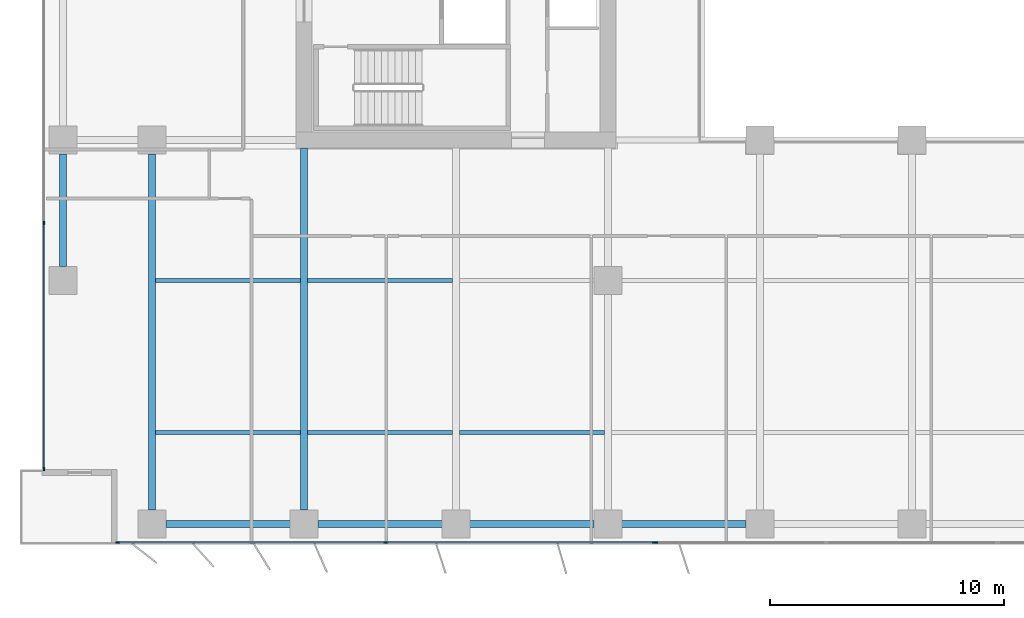
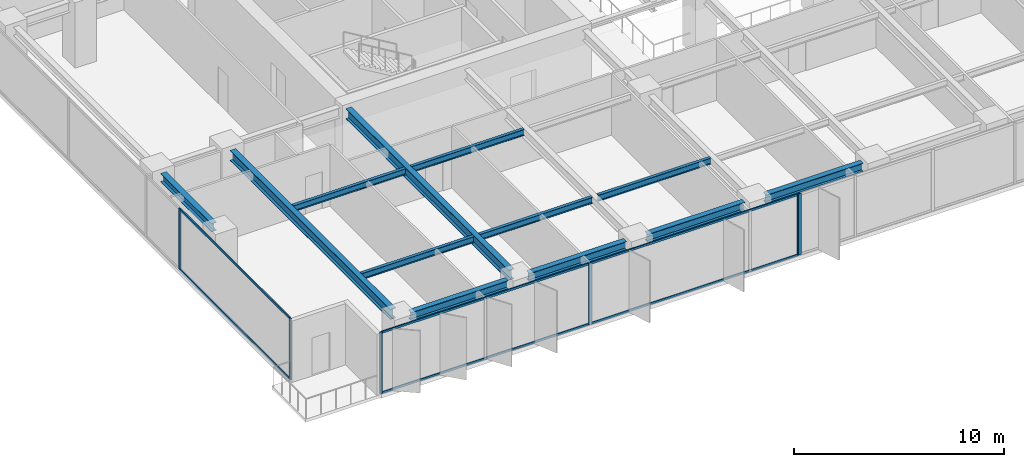
# One storey, part 2 of 20: 12 beams, 12 members, 3 elements without a shape of their own.
"""IFC4 building model written with IfcOpenShell, lengths in metres."""

from ifc_helpers import new_model, si_unit, direction, frame, origin, origin_2d, place, context, subcontext, project, spatial, rectangle, i_section, extrude, material, layer, layer_set, material_profile, profile_set, type_object, element, aggregate, save


model = new_model("IFC4")

# Units and contexts
model_context = context("Model", 3, precision=1e-05, world=origin(), true_north=direction((0.0, 1.0)))
body_context = subcontext(model_context, "Body", "Model", "MODEL_VIEW")
ifc_project = project(units=[si_unit("LENGTHUNIT", "METRE"), si_unit("AREAUNIT", "SQUARE_METRE"), si_unit("VOLUMEUNIT", "CUBIC_METRE"), si_unit("PLANEANGLEUNIT", "RADIAN"), si_unit("MASSUNIT", "GRAM", prefix="KILO")], contexts=[model_context])

# Site, building, storey
site_placement = place(None, origin())
site = spatial("IfcSite", under=ifc_project, at=site_placement, CompositionType="ELEMENT")
building_placement = place(site_placement, origin())
building = spatial("IfcBuilding", under=site, at=building_placement, Name="Putna Gate Headquarters", CompositionType="ELEMENT")
storey_placement = place(building_placement, frame((0.0, 0.0, 97.39990234375)))
storey = spatial("IfcBuildingStorey", under=building, at=storey_placement, Name="L23", CompositionType="ELEMENT", Elevation=97.39990234375)

# Beams
ifc_material_1 = material(Name="Steel S355J2", Category="steel")
ifc_material_profile_1 = material_profile(ifc_material_1, i_section(OverallWidth=0.300048828125, OverallDepth=0.60009765625, WebThickness=0.015380859375, FlangeThickness=0.030029296875, at=origin_2d()), Name="Steel S355J2")
ifc_profile_set_1 = profile_set([ifc_material_profile_1], Name="Steel S355J2")
beam_type_1 = type_object("IfcBeamType", Name="BM-GIRD-Z2-HEB600", PredefinedType="USERDEFINED", material=ifc_profile_set_1)
beam_1_placement = place(storey_placement, frame((6.5, 3.16796875, 3.26513671875), z_axis=(0.0, 1.0, 0.0), x_axis=(-1.0, 0.0, 0.0)))
element("IfcBeam", 1, at=beam_1_placement, inside=storey, type_object=beam_type_1, Name="L23 South Primary Girder X6", ObjectType="GIRDER", PredefinedType="USERDEFINED", context=body_context, shape_type="SweptSolid", body=[
    extrude(i_section(OverallWidth=0.300048828125, OverallDepth=0.60009765625, WebThickness=0.015380859375, FlangeThickness=0.030029296875, at=origin_2d()), origin(), (0.0, 0.0, 1.0), 15.244140625),
])
beam_2_placement = place(storey_placement, frame((13.0, 3.16796875, 3.26513671875), z_axis=(0.0, 1.0, 0.0), x_axis=(-1.0, 0.0, 0.0)))
element("IfcBeam", 2, at=beam_2_placement, inside=storey, type_object=beam_type_1, Name="L23 South Primary Girder X13", ObjectType="GIRDER", PredefinedType="USERDEFINED", context=body_context, shape_type="SweptSolid", body=[
    extrude(i_section(OverallWidth=0.300048828125, OverallDepth=0.60009765625, WebThickness=0.015380859375, FlangeThickness=0.030029296875, at=origin_2d()), origin(), (0.0, 0.0, 1.0), 15.4970703125),
])
ifc_material_profile_2 = material_profile(ifc_material_1, i_section(OverallWidth=0.169921875, OverallDepth=0.360107421875, WebThickness=0.008056640625, FlangeThickness=0.0126953125, at=origin_2d()), Name="Steel S355J2")
ifc_profile_set_2 = profile_set([ifc_material_profile_2], Name="Steel S355J2")
beam_type_2 = type_object("IfcBeamType", Name="BM-SEC-Z2-IPE360", PredefinedType="BEAM", material=ifc_profile_set_2)
for number, where, z_axis, x_axis, name in (
    (3, (6.654052734375, 6.5, 3.385009765625), (1.0, 0.0, 0.0), (0.0, 1.0, 0.0), "L23 South Secondary Beam 1"),
    (4, (6.654052734375, 13.0, 3.385009765625), (1.0, 0.0, 0.0), (0.0, 1.0, 0.0), "L23 South Secondary Beam 1"),
    (5, (13.154052734375, 6.5, 3.385009765625), (1.0, 0.0, 0.0), (0.0, 1.0, 0.0), "L23 South Secondary Beam 2"),
    (6, (13.154052734375, 13.0, 3.385009765625), (1.0, 0.0, 0.0), (0.0, 1.0, 0.0), "L23 South Secondary Beam 2"),
    (7, (19.654052734375, 6.5, 3.385009765625), (1.0, 0.0, 0.0), (0.0, 1.0, 0.0), "L23 South Secondary Beam 3"),
):
    element("IfcBeam", number, at=place(storey_placement, frame(where, z_axis=z_axis, x_axis=x_axis)), inside=storey, type_object=beam_type_2, Name=name, PredefinedType="BEAM", context=body_context, shape_type="SweptSolid", body=[
        extrude(i_section(OverallWidth=0.169921875, OverallDepth=0.360107421875, WebThickness=0.008056640625, FlangeThickness=0.0126953125, at=origin_2d()), origin(), (0.0, 0.0, 1.0), 6.19189453125),
    ])
ifc_material_profile_3 = material_profile(ifc_material_1, i_section(OverallWidth=0.300048828125, OverallDepth=0.489990234375, WebThickness=0.011962890625, FlangeThickness=0.02294921875, at=origin_2d()), Name="Steel S355J2")
ifc_profile_set_3 = profile_set([ifc_material_profile_3], Name="Steel S355J2")
beam_type_3 = type_object("IfcBeamType", Name="BM-SPAN-Z2-HEA500", PredefinedType="SPANDREL", material=ifc_profile_set_3)
for number, where, z_axis, x_axis, name in (
    (8, (7.087890625, 2.580078125, 3.320068359375), (1.0, 0.0, 0.0), (0.0, 1.0, 0.0), "L23 S Perimeter Spandrel 1"),
    (9, (13.587890625, 2.580078125, 3.320068359375), (1.0, 0.0, 0.0), (0.0, 1.0, 0.0), "L23 S Perimeter Spandrel 2"),
    (10, (20.087890625, 2.580078125, 3.320068359375), (1.0, 0.0, 0.0), (0.0, 1.0, 0.0), "L23 S Perimeter Spandrel 3"),
    (11, (26.587890625, 2.580078125, 3.320068359375), (1.0, 0.0, 0.0), (0.0, 1.0, 0.0), "L23 S Perimeter Spandrel 4"),
):
    element("IfcBeam", number, at=place(storey_placement, frame(where, z_axis=z_axis, x_axis=x_axis)), inside=storey, type_object=beam_type_3, Name=name, PredefinedType="SPANDREL", context=body_context, shape_type="SweptSolid", body=[
        extrude(i_section(OverallWidth=0.300048828125, OverallDepth=0.489990234375, WebThickness=0.011962890625, FlangeThickness=0.02294921875, at=origin_2d()), origin(), (0.0, 0.0, 1.0), 5.32421875),
    ])
beam_3_placement = place(storey_placement, frame((2.679931640625, 13.587890625, 3.320068359375), z_axis=(0.0, 1.0, 0.0), x_axis=(-1.0, 0.0, 0.0)))
element("IfcBeam", 12, at=beam_3_placement, inside=storey, type_object=beam_type_3, Name="L23 W End Spandrel 1", PredefinedType="SPANDREL", context=body_context, shape_type="SweptSolid", body=[
    extrude(i_section(OverallWidth=0.300048828125, OverallDepth=0.489990234375, WebThickness=0.011962890625, FlangeThickness=0.02294921875, at=origin_2d()), origin(), (0.0, 0.0, 1.0), 4.82421875),
])

# Curtain wall, members
ifc_material_2 = material(Name="Anodised bronze aluminium curtain wall", Category="aluminium")
ifc_layer_1 = layer(ifc_material_2, 0.159912109375)
ifc_layer_set_1 = layer_set([ifc_layer_1], Name="Anodised bronze aluminium curtain wall")
curtain_wall_type_1 = type_object("IfcCurtainWallType", Name="CW-SYS-Z2", PredefinedType="USERDEFINED", material=ifc_layer_set_1)
curtain_wall_1_placement = place(storey_placement, origin())
curtain_wall_1 = element("IfcCurtainWall", 13, at=curtain_wall_1_placement, inside=storey, type_object=curtain_wall_type_1, Name="L23 South West Curtain Wall", ObjectType="STICK CURTAIN WALL", PredefinedType="USERDEFINED")
ifc_material_3 = material(Name="Anodised bronze aluminium EN AW-6060", Category="aluminium")
ifc_material_profile_4 = material_profile(ifc_material_3, rectangle(XDim=0.06494140625, YDim=0.159912109375, at=origin_2d()), Name="Anodised bronze aluminium EN AW-6060")
ifc_profile_set_4 = profile_set([ifc_material_profile_4], Name="Anodised bronze aluminium EN AW-6060")
member_type_1 = type_object("IfcMemberType", Name="MULL-CWM-2", PredefinedType="MULLION", material=ifc_profile_set_4)
member_1_placement = place(storey_placement, frame((5.032470703125, 1.780029296875, 0.0), z_axis=(0.0, 0.0, 1.0), x_axis=(0.0, 1.0, 0.0)))
member_1 = element("IfcMember", 14, at=member_1_placement, type_object=member_type_1, Name="CWS-2 mullion 1", PredefinedType="MULLION", context=body_context, shape_type="SweptSolid", body=[
    extrude(rectangle(XDim=0.06494140625, YDim=0.159912109375, at=origin_2d()), origin(), (0.0, 0.0, 1.0), 3.565185546875),
])
member_2_placement = place(storey_placement, frame((16.5, 1.780029296875, 0.0), z_axis=(0.0, 0.0, 1.0), x_axis=(0.0, 1.0, 0.0)))
member_2 = element("IfcMember", 15, at=member_2_placement, type_object=member_type_1, Name="CWS-2 mullion 2", PredefinedType="MULLION", context=body_context, shape_type="SweptSolid", body=[
    extrude(rectangle(XDim=0.06494140625, YDim=0.159912109375, at=origin_2d()), origin(), (0.0, 0.0, 1.0), 3.565185546875),
])
member_3_placement = place(storey_placement, frame((27.967529296875, 1.780029296875, 0.0), z_axis=(0.0, 0.0, 1.0), x_axis=(0.0, 1.0, 0.0)))
member_3 = element("IfcMember", 16, at=member_3_placement, type_object=member_type_1, Name="CWS-2 mullion 3", PredefinedType="MULLION", context=body_context, shape_type="SweptSolid", body=[
    extrude(rectangle(XDim=0.06494140625, YDim=0.159912109375, at=origin_2d()), origin(), (0.0, 0.0, 1.0), 3.565185546875),
])

curtain_wall_2_placement = place(storey_placement, origin())
curtain_wall_2 = element("IfcCurtainWall", 17, at=curtain_wall_2_placement, inside=storey, type_object=curtain_wall_type_1, Name="L23 West Curtain Wall", ObjectType="STICK CURTAIN WALL", PredefinedType="USERDEFINED")
member_4_placement = place(storey_placement, frame((1.8798828125, 4.9326171875, 0.0), z_axis=(0.0, 0.0, 1.0), x_axis=(-1.0, 0.0, 0.0)))
member_4 = element("IfcMember", 18, at=member_4_placement, type_object=member_type_1, Name="CWS-2 mullion 1", PredefinedType="MULLION", context=body_context, shape_type="SweptSolid", body=[
    extrude(rectangle(XDim=0.06494140625, YDim=0.159912109375, at=origin_2d()), origin(), (0.0, 0.0, 1.0), 3.565185546875),
])
member_5_placement = place(storey_placement, frame((1.8798828125, 15.449951171875, 0.0), z_axis=(0.0, 0.0, 1.0), x_axis=(-1.0, 0.0, 0.0)))
member_5 = element("IfcMember", 19, at=member_5_placement, type_object=member_type_1, Name="CWS-2 mullion 2", PredefinedType="MULLION", context=body_context, shape_type="SweptSolid", body=[
    extrude(rectangle(XDim=0.06494140625, YDim=0.159912109375, at=origin_2d()), origin(), (0.0, 0.0, 1.0), 3.565185546875),
])

# Curtain wall, member
ifc_layer_2 = layer(ifc_material_2, 0.179931640625)
ifc_layer_set_2 = layer_set([ifc_layer_2], Name="Anodised bronze aluminium curtain wall")
curtain_wall_type_2 = type_object("IfcCurtainWallType", Name="CW-SYS-ATR", PredefinedType="USERDEFINED", material=ifc_layer_set_2)
curtain_wall_3_placement = place(storey_placement, origin())
curtain_wall_3 = element("IfcCurtainWall", 20, at=curtain_wall_3_placement, inside=storey, type_object=curtain_wall_type_2, Name="L23 South Atrium Clear Glazing", ObjectType="ATRIUM GLAZING", PredefinedType="USERDEFINED")
ifc_material_profile_5 = material_profile(ifc_material_3, rectangle(XDim=0.070068359375, YDim=0.179931640625, at=origin_2d()), Name="Anodised bronze aluminium EN AW-6060")
ifc_profile_set_5 = profile_set([ifc_material_profile_5], Name="Anodised bronze aluminium EN AW-6060")
member_type_2 = type_object("IfcMemberType", Name="MULL-CWM-AT", PredefinedType="MULLION", material=ifc_profile_set_5)
member_6_placement = place(storey_placement, frame((28.034912109375, 1.780029296875, 0.0), z_axis=(0.0, 0.0, 1.0), x_axis=(0.0, 1.0, 0.0)))
member_6 = element("IfcMember", 21, at=member_6_placement, type_object=member_type_2, Name="CWS-AT mullion 1", PredefinedType="MULLION", context=body_context, shape_type="SweptSolid", body=[
    extrude(rectangle(XDim=0.070068359375, YDim=0.179931640625, at=origin_2d()), origin(), (0.0, 0.0, 1.0), 3.565185546875),
])
aggregate(curtain_wall_3, [member_6])

# Member
ifc_material_profile_6 = material_profile(ifc_material_3, rectangle(XDim=0.06494140625, YDim=0.1201171875, at=origin_2d()), Name="Anodised bronze aluminium EN AW-6060")
ifc_profile_set_6 = profile_set([ifc_material_profile_6], Name="Anodised bronze aluminium EN AW-6060")
member_type_3 = type_object("IfcMemberType", Name="TRAN-CWT-2", PredefinedType="USERDEFINED", material=ifc_profile_set_6)
member_7_placement = place(storey_placement, frame((5.06494140625, 1.780029296875, 0.03271484375), z_axis=(1.0, 0.0, 0.0), x_axis=(0.0, 1.0, 0.0)))
member_7 = element("IfcMember", 22, at=member_7_placement, type_object=member_type_3, Name="CWS-2 transom 1.1", ObjectType="TRANSOM", PredefinedType="USERDEFINED", context=body_context, shape_type="SweptSolid", body=[
    extrude(rectangle(XDim=0.06494140625, YDim=0.1201171875, at=origin_2d()), origin(), (0.0, 0.0, 1.0), 11.402587890625),
])

member_8_placement = place(storey_placement, frame((5.06494140625, 1.780029296875, 3.53271484375), z_axis=(1.0, 0.0, 0.0), x_axis=(0.0, 1.0, 0.0)))
member_8 = element("IfcMember", 23, at=member_8_placement, type_object=member_type_3, Name="CWS-2 transom 1.2", ObjectType="TRANSOM", PredefinedType="USERDEFINED", context=body_context, shape_type="SweptSolid", body=[
    extrude(rectangle(XDim=0.06494140625, YDim=0.1201171875, at=origin_2d()), origin(), (0.0, 0.0, 1.0), 11.402587890625),
])

member_9_placement = place(storey_placement, frame((16.532470703125, 1.780029296875, 0.03271484375), z_axis=(1.0, 0.0, 0.0), x_axis=(0.0, 1.0, 0.0)))
member_9 = element("IfcMember", 24, at=member_9_placement, type_object=member_type_3, Name="CWS-2 transom 2.1", ObjectType="TRANSOM", PredefinedType="USERDEFINED", context=body_context, shape_type="SweptSolid", body=[
    extrude(rectangle(XDim=0.06494140625, YDim=0.1201171875, at=origin_2d()), origin(), (0.0, 0.0, 1.0), 11.402587890625),
])

member_10_placement = place(storey_placement, frame((16.532470703125, 1.780029296875, 3.53271484375), z_axis=(1.0, 0.0, 0.0), x_axis=(0.0, 1.0, 0.0)))
member_10 = element("IfcMember", 25, at=member_10_placement, type_object=member_type_3, Name="CWS-2 transom 2.2", ObjectType="TRANSOM", PredefinedType="USERDEFINED", context=body_context, shape_type="SweptSolid", body=[
    extrude(rectangle(XDim=0.06494140625, YDim=0.1201171875, at=origin_2d()), origin(), (0.0, 0.0, 1.0), 11.402587890625),
])

aggregate(curtain_wall_1, [member_1, member_2, member_3, member_7, member_8, member_9, member_10])

member_11_placement = place(storey_placement, frame((1.8798828125, 4.965087890625, 0.03271484375), z_axis=(0.0, 1.0, 0.0), x_axis=(-1.0, 0.0, 0.0)))
member_11 = element("IfcMember", 26, at=member_11_placement, type_object=member_type_3, Name="CWS-2 transom 1.1", ObjectType="TRANSOM", PredefinedType="USERDEFINED", context=body_context, shape_type="SweptSolid", body=[
    extrude(rectangle(XDim=0.06494140625, YDim=0.1201171875, at=origin_2d()), origin(), (0.0, 0.0, 1.0), 10.452392578125),
])

member_12_placement = place(storey_placement, frame((1.8798828125, 4.965087890625, 3.53271484375), z_axis=(0.0, 1.0, 0.0), x_axis=(-1.0, 0.0, 0.0)))
member_12 = element("IfcMember", 27, at=member_12_placement, type_object=member_type_3, Name="CWS-2 transom 1.2", ObjectType="TRANSOM", PredefinedType="USERDEFINED", context=body_context, shape_type="SweptSolid", body=[
    extrude(rectangle(XDim=0.06494140625, YDim=0.1201171875, at=origin_2d()), origin(), (0.0, 0.0, 1.0), 10.452392578125),
])

aggregate(curtain_wall_2, [member_4, member_5, member_11, member_12])

save(model, "model.ifc")
